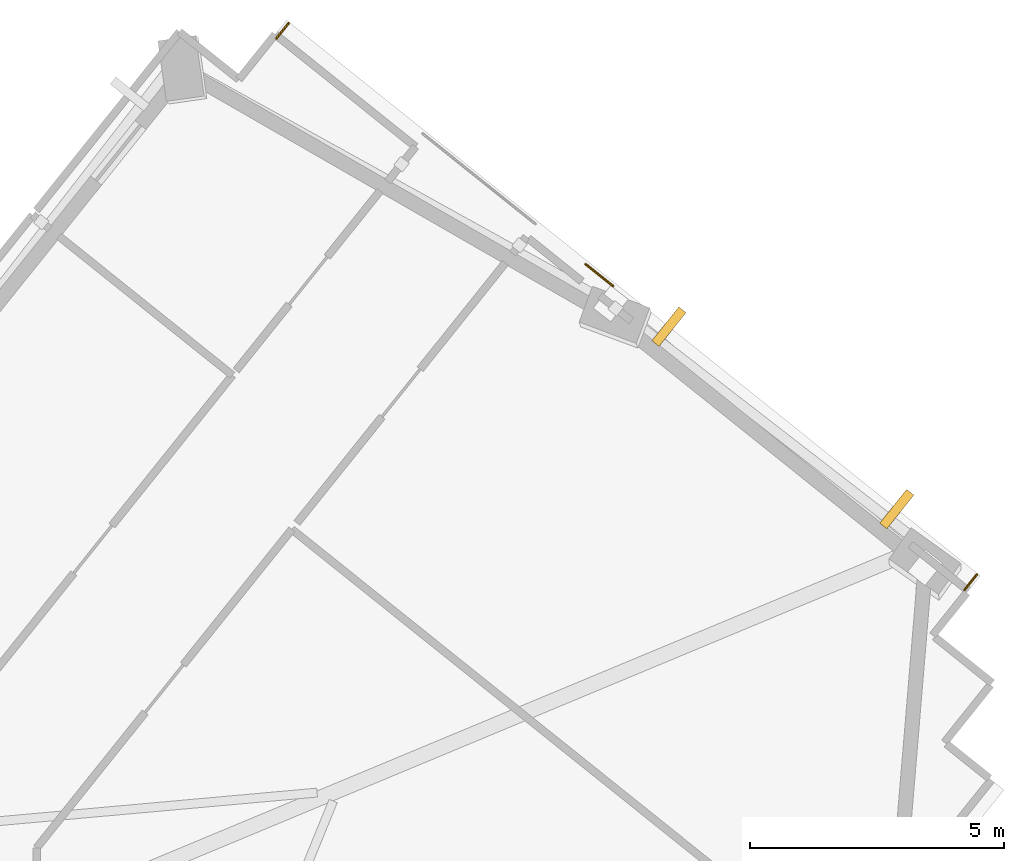
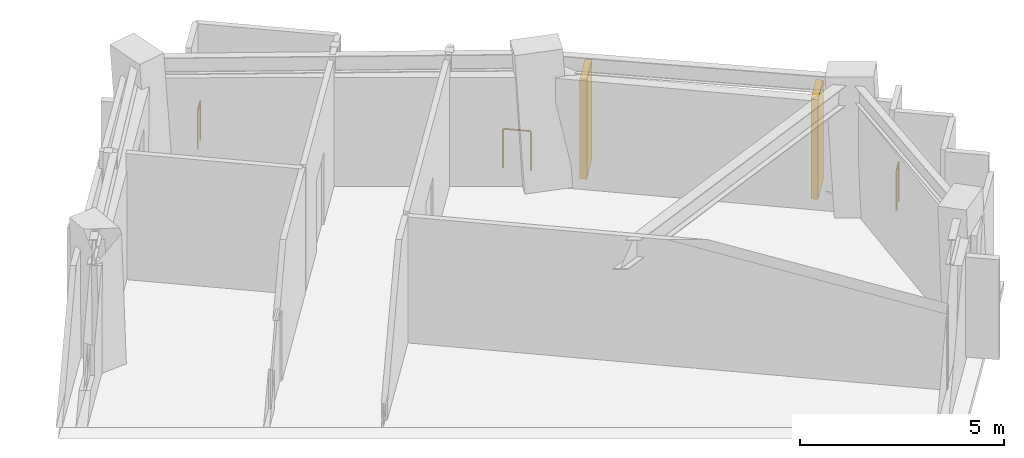
# One storey, part 10 of 10: 3 railings, 2 shading devices.
"""IFC4 building model written with IfcOpenShell, lengths in metres."""

from ifc_helpers import new_model, si_unit, direction, frame, origin, origin_2d, place, context, subcontext, project, spatial, rectangle, circle, extrude, material, layer, layer_set, type_object, element, save


model = new_model("IFC4")

# Units and contexts
model_context = context("Model", 3, precision=1e-05, world=origin(), true_north=direction((0.0, 1.0)))
body_context = subcontext(model_context, "Body", "Model", "MODEL_VIEW")
ifc_project = project(units=[si_unit("LENGTHUNIT", "METRE"), si_unit("AREAUNIT", "SQUARE_METRE"), si_unit("VOLUMEUNIT", "CUBIC_METRE"), si_unit("PLANEANGLEUNIT", "RADIAN"), si_unit("MASSUNIT", "GRAM", prefix="KILO")], contexts=[model_context])

# Site, building, storey
site_placement = place(None, origin())
site = spatial("IfcSite", under=ifc_project, at=site_placement, CompositionType="ELEMENT")
building_placement = place(site_placement, origin())
building = spatial("IfcBuilding", under=site, at=building_placement, Name="Gaonmaruhae Medical Tower", CompositionType="ELEMENT")
storey_placement = place(building_placement, frame((0.0, 0.0, 243.199951171875)))
storey = spatial("IfcBuildingStorey", under=building, at=storey_placement, Name="L58", CompositionType="ELEMENT", Elevation=243.199951171875)

# Railings
ifc_material_1 = material(Name="Stainless steel 316L and laminated safety glass", Category="steel")
ifc_layer = layer(ifc_material_1, 0.080078125)
ifc_layer_set = layer_set([ifc_layer], Name="Stainless steel 316L and laminated safety glass")
railing_type = type_object("IfcRailingType", Name="GD-120 Outdoor Terrace Safety Glass & Steel Balustrade", PredefinedType="BALUSTRADE", material=ifc_layer_set)
railing_1_placement = place(storey_placement, frame((45.9453125, 36.4189453125, 0.0)))
element("IfcRailing", 1, at=railing_1_placement, inside=storey, type_object=railing_type, Name="L58 Perimeter Slab Edge Safety Balustrade 01", PredefinedType="BALUSTRADE", context=body_context, shape_type="SweptSolid", body=[
    extrude(circle(Radius=0.02392578125, at=origin_2d()), frame((0.0, 0.0, 1.17578125), z_axis=(0.625602875389, 0.780141680917, 0.0), x_axis=(-0.780141680917, 0.625602875389, 0.0)), (0.0, 0.0, 1.0), 0.393310546875),
    extrude(circle(Radius=0.02099609375, at=origin_2d()), origin(), (0.0, 0.0, 1.0), 1.15185546875),
    extrude(circle(Radius=0.02099609375, at=origin_2d()), frame((0.24609375, 0.306884765625, 0.0)), (0.0, 0.0, 1.0), 1.15185546875),
])
railing_2_placement = place(storey_placement, frame((52.03564453125, 31.979736328125, 0.0)))
element("IfcRailing", 2, at=railing_2_placement, inside=storey, type_object=railing_type, Name="L58 Perimeter Slab Edge Safety Balustrade 03", PredefinedType="BALUSTRADE", context=body_context, shape_type="SweptSolid", body=[
    extrude(circle(Radius=0.02392578125, at=origin_2d()), frame((0.0, 0.0, 1.17578125), z_axis=(0.780560544359, -0.625080184129, 0.0), x_axis=(0.625080184129, 0.780560544359, 0.0)), (0.0, 0.0, 1.0), 0.695556640625),
    extrude(circle(Radius=0.02099609375, at=origin_2d()), origin(), (0.0, 0.0, 1.0), 1.15185546875),
    extrude(circle(Radius=0.02099609375, at=origin_2d()), frame((0.54296875, -0.434814453125, 0.0)), (0.0, 0.0, 1.0), 1.15185546875),
])
railing_3_placement = place(storey_placement, frame((59.739501953125, 25.871826171875, 0.0)))
element("IfcRailing", 3, at=railing_3_placement, inside=storey, type_object=railing_type, Name="L58 Perimeter Slab Edge Safety Balustrade 04", PredefinedType="BALUSTRADE", context=body_context, shape_type="SweptSolid", body=[
    extrude(circle(Radius=0.02392578125, at=origin_2d()), frame((0.0, 0.0, 1.17578125), z_axis=(-0.624922061887, -0.780687143847, 0.0), x_axis=(0.780687143847, -0.624922061887, 0.0)), (0.0, 0.0, 1.0), 0.393310546875),
    extrude(circle(Radius=0.02099609375, at=origin_2d()), origin(), (0.0, 0.0, 1.0), 1.15185546875),
    extrude(circle(Radius=0.02099609375, at=origin_2d()), frame((-0.245849609375, -0.30712890625, 0.0)), (0.0, 0.0, 1.0), 1.15185546875),
])

# Shading devices
ifc_material_2 = material(Name="Pigmented coral precast concrete C45/55", Category="concrete")
shading_device_type = type_object("IfcShadingDeviceType", Name="SD-FIN1 Tower Vertical Coral Precast Shading Fin", PredefinedType="USERDEFINED", material=ifc_material_2)
for number, where, z_axis, x_axis, name in (
    (4, (53.67578125, 30.748779296875, 0.132568359375), (0.0, 0.0, 1.0), (0.780419494676, -0.625256277321, 0.0), "L58 Vertical Coral Precast Shading Fin E01"),
    (5, (58.160400390625, 27.156005859375, 0.132568359375), (0.0, 0.0, 1.0), (0.780419494676, -0.625256277321, 0.0), "L58 Vertical Coral Precast Shading Fin E01B"),
):
    element("IfcShadingDevice", number, at=place(storey_placement, frame(where, z_axis=z_axis, x_axis=x_axis)), inside=storey, type_object=shading_device_type, Name=name, ObjectType="FIN", PredefinedType="USERDEFINED", context=body_context, shape_type="SweptSolid", body=[
        extrude(rectangle(XDim=0.179931640625, YDim=0.85009765625, at=origin_2d()), origin(), (0.0, 0.0, 1.0), 3.0),
    ])

save(model, "model.ifc")
